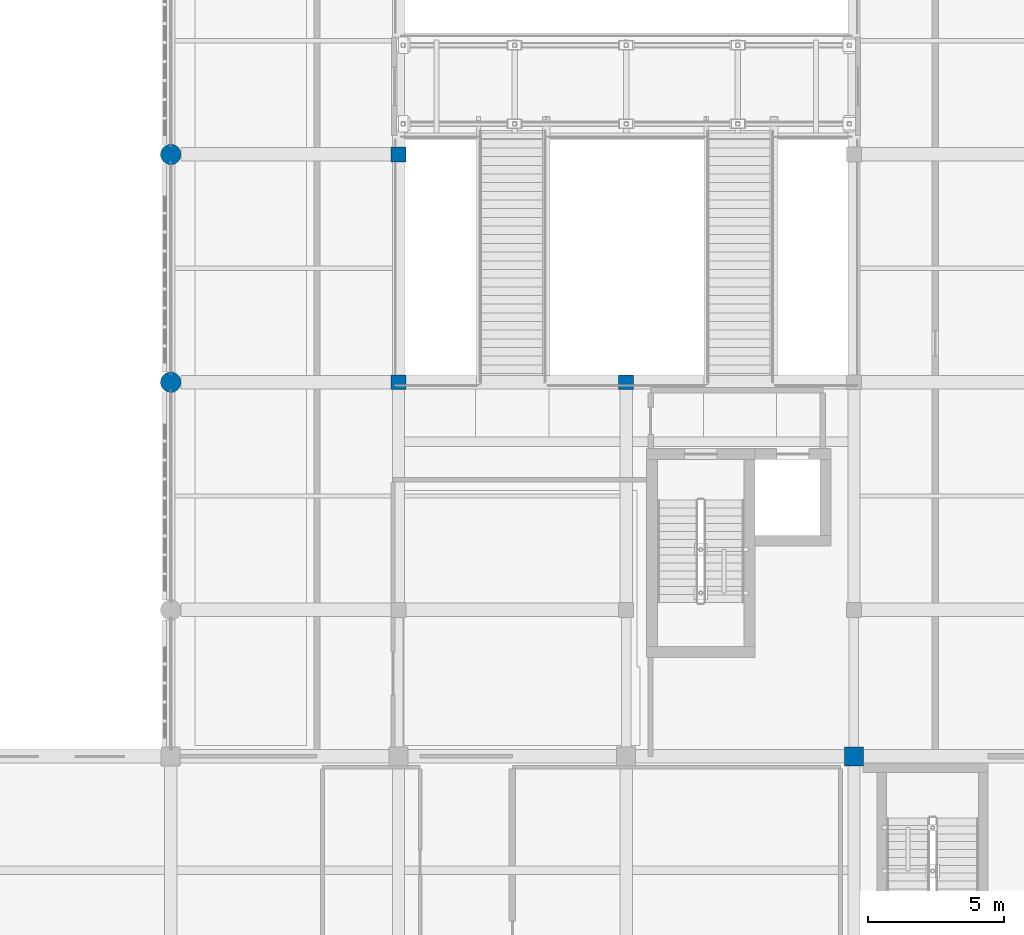
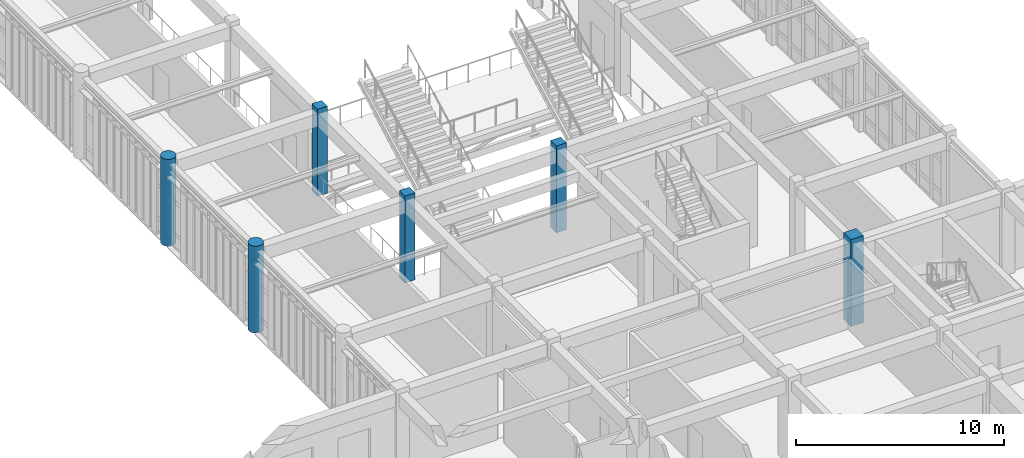
# One storey, part 6 of 106: 6 columns.
"""IFC4 building model written with IfcOpenShell, lengths in metres."""

from ifc_helpers import new_model, si_unit, direction, frame, origin, origin_2d, place, context, subcontext, project, spatial, rectangle, circle, extrude, material, material_profile, profile_set, type_object, element, save


model = new_model("IFC4")

# Units and contexts
model_context = context("Model", 3, precision=1e-05, world=origin(), true_north=direction((0.0, 1.0)))
body_context = subcontext(model_context, "Body", "Model", "MODEL_VIEW")
ifc_project = project(units=[si_unit("LENGTHUNIT", "METRE"), si_unit("AREAUNIT", "SQUARE_METRE"), si_unit("VOLUMEUNIT", "CUBIC_METRE"), si_unit("PLANEANGLEUNIT", "RADIAN"), si_unit("MASSUNIT", "GRAM", prefix="KILO")], contexts=[model_context])

# Site, building, storey
site_placement = place(None, origin())
site = spatial("IfcSite", under=ifc_project, at=site_placement, CompositionType="ELEMENT")
building_placement = place(site_placement, origin())
building = spatial("IfcBuilding", under=site, at=building_placement, Name="Krzemoval Escarpment Law Courts", CompositionType="ELEMENT")
storey_placement = place(building_placement, frame((0.0, 0.0, 5.10009765625)))
storey = spatial("IfcBuildingStorey", under=building, at=storey_placement, Name="L01", CompositionType="ELEMENT", Elevation=5.10009765625)

# Columns
ifc_material_1 = material(Name="Concrete C40/50", Category="concrete")
ifc_material_profile_1 = material_profile(ifc_material_1, rectangle(XDim=0.550048828125, YDim=0.550048828125, at=origin_2d()), Name="RC 550x550")
ifc_profile_set_1 = profile_set([ifc_material_profile_1], Name="Concrete C40/50")
column_type_1 = type_object("IfcColumnType", Name="COL-RC-550", PredefinedType="COLUMN", material=ifc_profile_set_1)
for number, where, z_axis, x_axis, name in (
    (1, (16.800048828125, 49.199951171875, 0.0), (0.0, 0.0, 1.0), (1.0, 0.0, 0.0), "Column FC-L01-0575"),
    (2, (16.800048828125, 57.60009765625, 0.0), (0.0, 0.0, 1.0), (1.0, 0.0, 0.0), "Column FC-L01-0576"),
    (3, (25.199951171875, 49.199951171875, 0.0), (0.0, 0.0, 1.0), (1.0, 0.0, 0.0), "Column FC-L01-0592"),
):
    element("IfcColumn", number, at=place(storey_placement, frame(where, z_axis=z_axis, x_axis=x_axis)), inside=storey, type_object=column_type_1, Name=name, PredefinedType="COLUMN", context=body_context, shape_type="SweptSolid", body=[
        extrude(rectangle(XDim=0.550048828125, YDim=0.550048828125, at=origin_2d()), origin(), (0.0, 0.0, 1.0), 5.099853515625),
    ])
ifc_material_2 = material(Name="Concrete C40/50", Category="concrete")
ifc_material_profile_2 = material_profile(ifc_material_2, rectangle(XDim=0.699951171875, YDim=0.699951171875, at=origin_2d()), Name="RC 700x700")
ifc_profile_set_2 = profile_set([ifc_material_profile_2], Name="Concrete C40/50")
column_type_2 = type_object("IfcColumnType", Name="COL-RC-700", PredefinedType="COLUMN", material=ifc_profile_set_2)
column_placement = place(storey_placement, frame((33.60009765625, 35.39990234375, 0.0), z_axis=(0.0, 0.0, 1.0), x_axis=(1.0, 0.0, 0.0)))
element("IfcColumn", 4, at=column_placement, inside=storey, type_object=column_type_2, Name="Column FC-L01-0602", PredefinedType="COLUMN", context=body_context, shape_type="SweptSolid", body=[
    extrude(rectangle(XDim=0.699951171875, YDim=0.699951171875, at=origin_2d()), origin(), (0.0, 0.0, 1.0), 5.099853515625),
])
ifc_material_3 = material(Name="Concrete C40/50", Category="concrete")
ifc_material_profile_3 = material_profile(ifc_material_3, circle(Radius=0.375, at=origin_2d()), Name="RC D750")
ifc_profile_set_3 = profile_set([ifc_material_profile_3], Name="Concrete C40/50")
column_type_3 = type_object("IfcColumnType", Name="COL-RCD-750", PredefinedType="COLUMN", material=ifc_profile_set_3)
for number, where, z_axis, x_axis, name in (
    (5, (8.39990234375, 49.199951171875, 0.0), (0.0, 0.0, 1.0), (1.0, 0.0, 0.0), "Column FC-L01-0558"),
    (6, (8.39990234375, 57.60009765625, 0.0), (0.0, 0.0, 1.0), (1.0, 0.0, 0.0), "Column FC-L01-0559"),
):
    element("IfcColumn", number, at=place(storey_placement, frame(where, z_axis=z_axis, x_axis=x_axis)), inside=storey, type_object=column_type_3, Name=name, PredefinedType="COLUMN", context=body_context, shape_type="SweptSolid", body=[
        extrude(circle(Radius=0.375, at=origin_2d()), origin(), (0.0, 0.0, 1.0), 5.099853515625),
    ])

save(model, "model.ifc")
